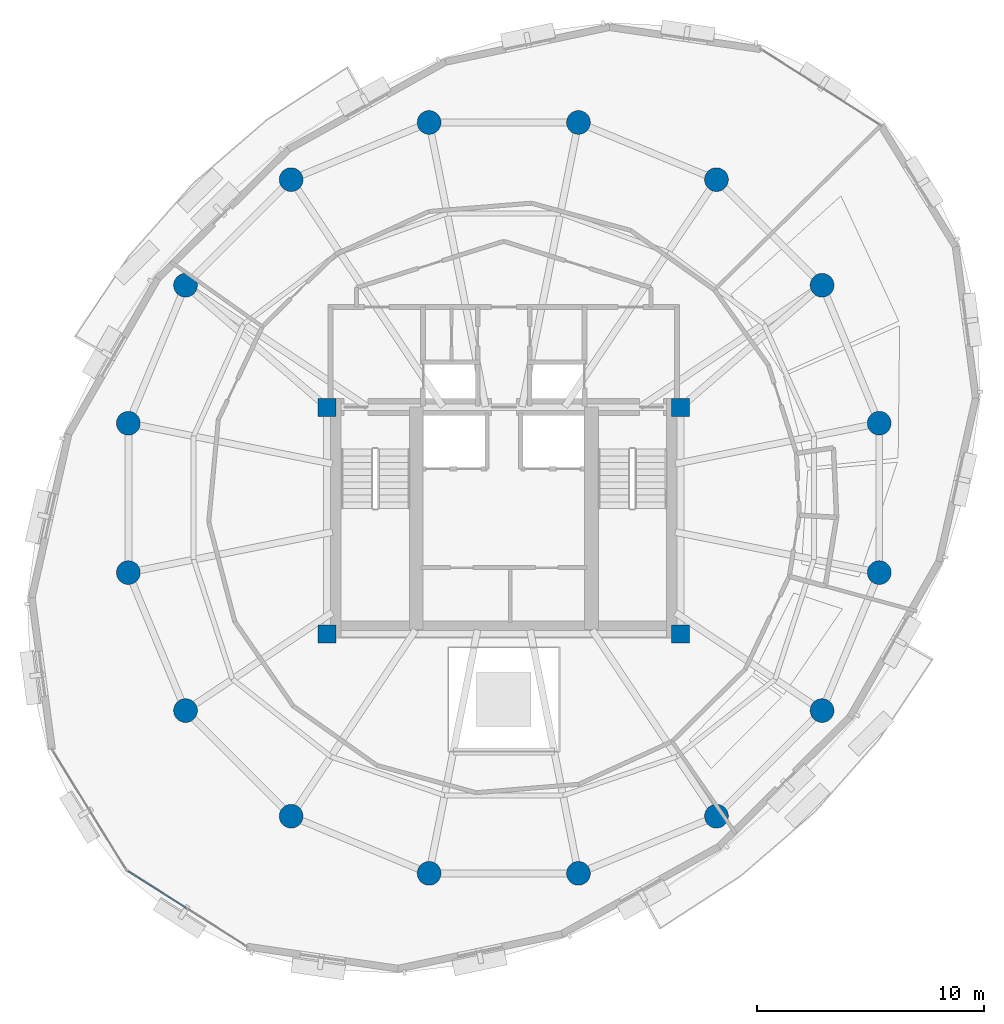
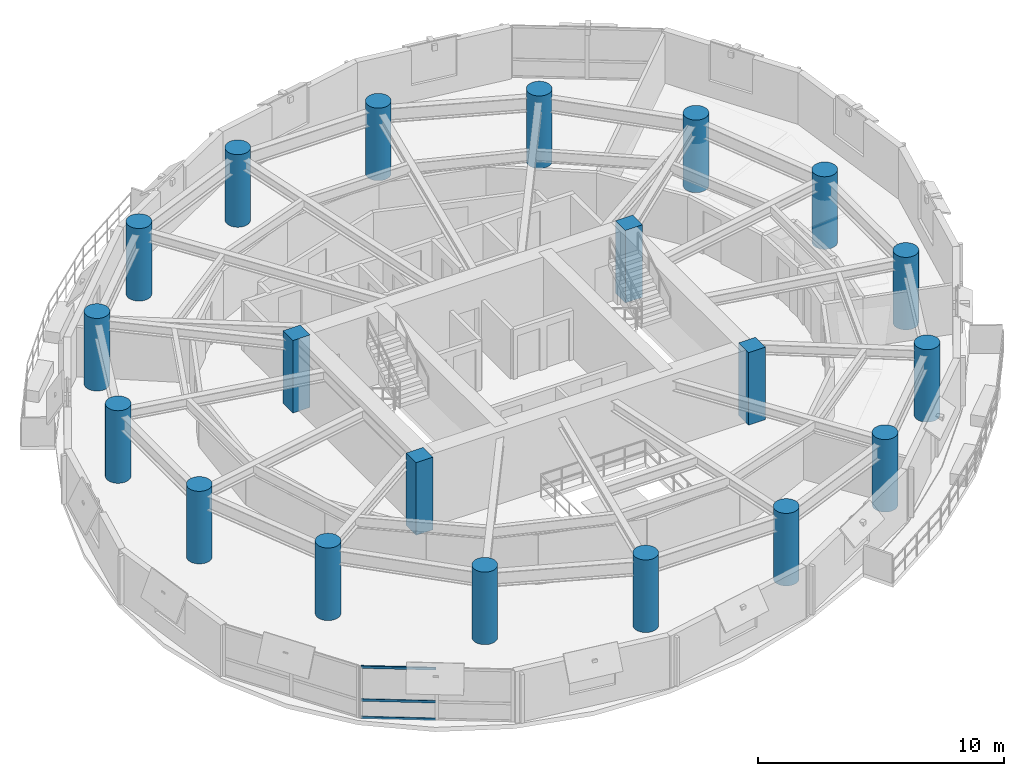
# One storey, part 1 of 12: 20 columns, 3 members, 1 element without a shape of its own.
"""IFC4 building model written with IfcOpenShell, lengths in metres."""

from ifc_helpers import new_model, si_unit, direction, frame, origin, origin_2d, place, context, subcontext, project, spatial, rectangle, hollow_rectangle, circle, extrude, material, layer, layer_set, material_profile, profile_set, type_object, element, aggregate, save


model = new_model("IFC4")

# Units and contexts
model_context = context("Model", 3, precision=1e-05, world=origin(), true_north=direction((0.0, 1.0)))
body_context = subcontext(model_context, "Body", "Model", "MODEL_VIEW")
ifc_project = project(units=[si_unit("LENGTHUNIT", "METRE"), si_unit("AREAUNIT", "SQUARE_METRE"), si_unit("VOLUMEUNIT", "CUBIC_METRE"), si_unit("PLANEANGLEUNIT", "RADIAN"), si_unit("MASSUNIT", "GRAM", prefix="KILO"), si_unit("THERMODYNAMICTEMPERATUREUNIT", "KELVIN"), si_unit("POWERUNIT", "WATT")], contexts=[model_context])

# Site, building, storey
site_placement = place(None, origin())
site = spatial("IfcSite", under=ifc_project, at=site_placement, CompositionType="ELEMENT")
building_placement = place(site_placement, origin())
building = spatial("IfcBuilding", under=site, at=building_placement, Name="Ocrelia Relay Tower", CompositionType="ELEMENT")
storey_placement = place(building_placement, frame((0.0, 0.0, 216.800048828125)))
storey = spatial("IfcBuildingStorey", under=building, at=storey_placement, Name="L53", CompositionType="ELEMENT", Elevation=216.800048828125)

# Columns
ifc_material_1 = material(Name="Concrete C60/75", Category="concrete")
ifc_material_profile_1 = material_profile(ifc_material_1, circle(Radius=0.52490234375, at=origin_2d()), Name="RC-CIR-1050")
ifc_profile_set_1 = profile_set([ifc_material_profile_1], Name="Concrete C60/75")
column_type_1 = type_object("IfcColumnType", Name="COL-CT-1050", PredefinedType="COLUMN", material=ifc_profile_set_1)
for number, where, z_axis, x_axis, name in (
    (1, (50.5751953125, 29.297119140625, 0.0), (0.0, 0.0, 1.0), (1.0, 0.0, 0.0), "L53 Perimeter Ring Column C01"),
    (2, (48.0517578125, 35.38916015625, 0.0), (0.0, 0.0, 1.0), (1.0, 0.0, 0.0), "L53 Perimeter Ring Column C02"),
    (3, (43.38916015625, 40.0517578125, 0.0), (0.0, 0.0, 1.0), (1.0, 0.0, 0.0), "L53 Perimeter Ring Column C03"),
    (4, (37.297119140625, 42.5751953125, 0.0), (0.0, 0.0, 1.0), (1.0, 0.0, 0.0), "L53 Perimeter Ring Column C04"),
    (5, (30.702880859375, 42.5751953125, 0.0), (0.0, 0.0, 1.0), (1.0, 0.0, 0.0), "L53 Perimeter Ring Column C05"),
    (6, (24.61083984375, 40.0517578125, 0.0), (0.0, 0.0, 1.0), (1.0, 0.0, 0.0), "L53 Perimeter Ring Column C06"),
    (7, (19.9482421875, 35.38916015625, 0.0), (0.0, 0.0, 1.0), (1.0, 0.0, 0.0), "L53 Perimeter Ring Column C07"),
    (8, (17.4248046875, 29.297119140625, 0.0), (0.0, 0.0, 1.0), (1.0, 0.0, 0.0), "L53 Perimeter Ring Column C08"),
    (9, (17.4248046875, 22.702880859375, 0.0), (0.0, 0.0, 1.0), (1.0, 0.0, 0.0), "L53 Perimeter Ring Column C09"),
    (10, (19.9482421875, 16.61083984375, 0.0), (0.0, 0.0, 1.0), (1.0, 0.0, 0.0), "L53 Perimeter Ring Column C10"),
    (11, (24.61083984375, 11.9482421875, 0.0), (0.0, 0.0, 1.0), (1.0, 0.0, 0.0), "L53 Perimeter Ring Column C11"),
    (12, (30.702880859375, 9.4248046875, 0.0), (0.0, 0.0, 1.0), (1.0, 0.0, 0.0), "L53 Perimeter Ring Column C12"),
    (13, (37.297119140625, 9.4248046875, 0.0), (0.0, 0.0, 1.0), (1.0, 0.0, 0.0), "L53 Perimeter Ring Column C13"),
    (14, (43.38916015625, 11.9482421875, 0.0), (0.0, 0.0, 1.0), (1.0, 0.0, 0.0), "L53 Perimeter Ring Column C14"),
    (15, (48.0517578125, 16.61083984375, 0.0), (0.0, 0.0, 1.0), (1.0, 0.0, 0.0), "L53 Perimeter Ring Column C15"),
    (16, (50.5751953125, 22.702880859375, 0.0), (0.0, 0.0, 1.0), (1.0, 0.0, 0.0), "L53 Perimeter Ring Column C16"),
):
    element("IfcColumn", number, at=place(storey_placement, frame(where, z_axis=z_axis, x_axis=x_axis)), inside=storey, type_object=column_type_1, Name=name, PredefinedType="COLUMN", context=body_context, shape_type="SweptSolid", body=[
        extrude(circle(Radius=0.52490234375, at=origin_2d()), origin(), (0.0, 0.0, 1.0), 3.599853515625),
    ])
ifc_material_profile_2 = material_profile(ifc_material_1, rectangle(XDim=0.800048828125, YDim=0.800048828125, at=origin_2d()), Name="RC-COL-800x800")
ifc_profile_set_2 = profile_set([ifc_material_profile_2], Name="Concrete C60/75")
column_type_2 = type_object("IfcColumnType", Name="COL-PILASTER-800", PredefinedType="PILASTER", material=ifc_profile_set_2)
for number, where, z_axis, x_axis, name in (
    (17, (26.199951171875, 20.0, 0.0), (0.0, 0.0, 1.0), (1.0, 0.0, 0.0), "L53 Core Corner Pilaster SW"),
    (18, (41.800048828125, 20.0, 0.0), (0.0, 0.0, 1.0), (1.0, 0.0, 0.0), "L53 Core Corner Pilaster SE"),
    (19, (26.199951171875, 30.0, 0.0), (0.0, 0.0, 1.0), (1.0, 0.0, 0.0), "L53 Core Corner Pilaster NW"),
    (20, (41.800048828125, 30.0, 0.0), (0.0, 0.0, 1.0), (1.0, 0.0, 0.0), "L53 Core Corner Pilaster NE"),
):
    element("IfcColumn", number, at=place(storey_placement, frame(where, z_axis=z_axis, x_axis=x_axis)), inside=storey, type_object=column_type_2, Name=name, PredefinedType="PILASTER", context=body_context, shape_type="SweptSolid", body=[
        extrude(rectangle(XDim=0.800048828125, YDim=0.800048828125, at=origin_2d()), origin(), (0.0, 0.0, 1.0), 3.599853515625),
    ])

# Curtain wall, members
ifc_material_2 = material(Name="Aluminium and solar-control low-E glass", Category="aluminium")
ifc_layer = layer(ifc_material_2, 0.179931640625, Name="Aluminium and solar-control low-E glass")
ifc_layer_set = layer_set([ifc_layer], Name="Aluminium and solar-control low-E glass")
curtain_wall_type = type_object("IfcCurtainWallType", Name="CW-SYS-Z3-CLOU", PredefinedType="NOTDEFINED", material=ifc_layer_set)
curtain_wall_placement = place(storey_placement, origin())
curtain_wall = element("IfcCurtainWall", 21, at=curtain_wall_placement, inside=storey, type_object=curtain_wall_type, Name="L53 Elliptical Tower Curtain Wall Bay 10", PredefinedType="NOTDEFINED")
ifc_material_3 = material(Name="Anodised bronze aluminium", Category="aluminium")
ifc_material_profile_3 = material_profile(ifc_material_3, hollow_rectangle(XDim=0.06005859375, YDim=0.1201171875, WallThickness=0.0048828125, at=origin_2d()), Name="CW-TRN-120x60")
ifc_profile_set_3 = profile_set([ifc_material_profile_3], Name="Anodised bronze aluminium")
member_type = type_object("IfcMemberType", Name="CW-SYS-Z3-CLOU-TRN", PredefinedType="USERDEFINED", material=ifc_profile_set_3)
member_1_placement = place(storey_placement, frame((17.40771484375, 9.520263671875, 0.030029296875), z_axis=(0.844624457517, -0.535359249257, 0.0), x_axis=(0.535359249257, 0.844624457517, 0.0)))
member_1 = element("IfcMember", 22, at=member_1_placement, type_object=member_type, Name="CW-Z3 transom 1.1", ObjectType="TRANSOM", PredefinedType="USERDEFINED", context=body_context, shape_type="SweptSolid", body=[
    extrude(hollow_rectangle(XDim=0.06005859375, YDim=0.1201171875, WallThickness=0.0048828125, at=origin_2d()), origin(), (0.0, 0.0, 1.0), 3.0439453125),
])
member_2_placement = place(storey_placement, frame((17.40771484375, 9.520263671875, 0.89990234375), z_axis=(0.844624457517, -0.535359249257, 0.0), x_axis=(0.535359249257, 0.844624457517, 0.0)))
member_2 = element("IfcMember", 23, at=member_2_placement, type_object=member_type, Name="CW-Z3 transom 1.2", ObjectType="TRANSOM", PredefinedType="USERDEFINED", context=body_context, shape_type="SweptSolid", body=[
    extrude(hollow_rectangle(XDim=0.06005859375, YDim=0.1201171875, WallThickness=0.0048828125, at=origin_2d()), origin(), (0.0, 0.0, 1.0), 3.0439453125),
])
member_3_placement = place(storey_placement, frame((17.40771484375, 9.520263671875, 2.530029296875), z_axis=(0.844624457517, -0.535359249257, 0.0), x_axis=(0.535359249257, 0.844624457517, 0.0)))
member_3 = element("IfcMember", 24, at=member_3_placement, type_object=member_type, Name="CW-Z3 transom 1.3", ObjectType="TRANSOM", PredefinedType="USERDEFINED", context=body_context, shape_type="SweptSolid", body=[
    extrude(hollow_rectangle(XDim=0.06005859375, YDim=0.1201171875, WallThickness=0.0048828125, at=origin_2d()), origin(), (0.0, 0.0, 1.0), 3.0439453125),
])
aggregate(curtain_wall, [member_1, member_2, member_3])

save(model, "model.ifc")
